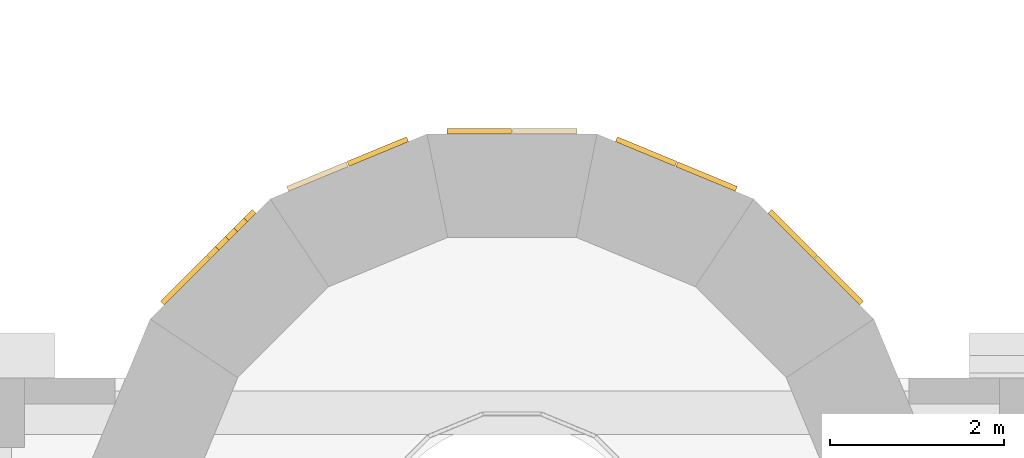
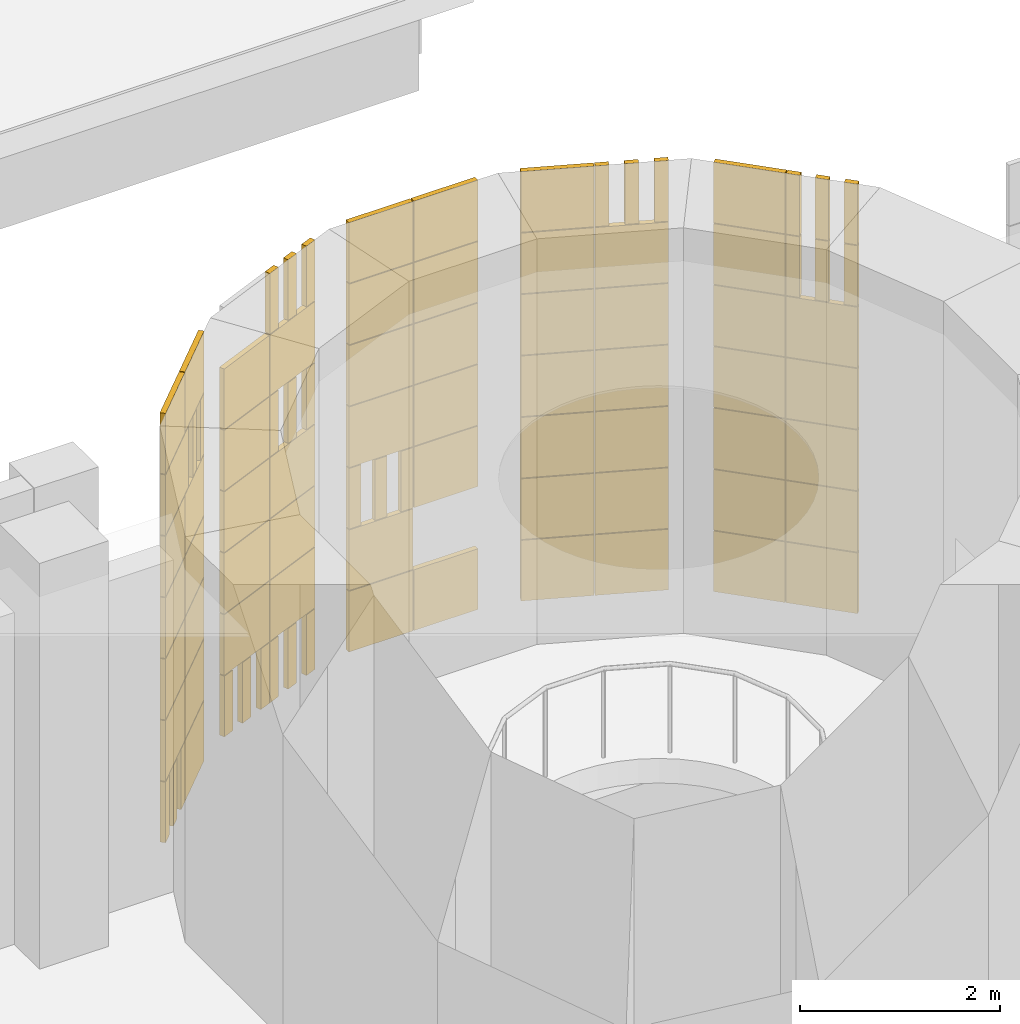
# One storey, part 91 of 125: 5 coverings.
"""IFC4 building model written with IfcOpenShell, lengths in metres."""

from ifc_helpers import new_model, si_unit, direction, frame, origin, origin_2d, place, context, subcontext, project, spatial, rectangle, extrude, material, layer, layer_set, type_object, element, save


model = new_model("IFC4")

# Units and contexts
model_context = context("Model", 3, precision=1e-05, world=origin(), true_north=direction((0.0, 1.0)))
body_context = subcontext(model_context, "Body", "Model", "MODEL_VIEW")
ifc_project = project(units=[si_unit("LENGTHUNIT", "METRE"), si_unit("AREAUNIT", "SQUARE_METRE"), si_unit("VOLUMEUNIT", "CUBIC_METRE"), si_unit("PLANEANGLEUNIT", "RADIAN"), si_unit("MASSUNIT", "GRAM", prefix="KILO")], contexts=[model_context])

# Site, building, storey
site_placement = place(None, origin())
site = spatial("IfcSite", under=ifc_project, at=site_placement, CompositionType="ELEMENT")
building_placement = place(site_placement, origin())
building = spatial("IfcBuilding", under=site, at=building_placement, Name="Sun Court Science Centre", CompositionType="ELEMENT")
storey_placement = place(building_placement, frame((0.0, 0.0, 6.0)))
storey = spatial("IfcBuildingStorey", under=building, at=storey_placement, Name="L01", CompositionType="ELEMENT", Elevation=6.0)

# Coverings
ifc_material_1 = material(Name="Terracotta jali", Category="masonry")
ifc_layer_1 = layer(ifc_material_1, 0.06005859375)
ifc_layer_set_1 = layer_set([ifc_layer_1], Name="Terracotta jali")
covering_type_1 = type_object("IfcCoveringType", Name="Terracotta open jali panel", PredefinedType="CLADDING", material=ifc_layer_set_1)
covering_1_placement = place(storey_placement, frame((0.0, 0.0, -6.0)))
element("IfcCovering", 1, at=covering_1_placement, inside=storey, type_object=covering_type_1, Name="Open jali pixel cladding cone 2 L01", PredefinedType="CLADDING", context=body_context, shape_type="SweptSolid", body=[
    extrude(rectangle(XDim=0.139892578125, YDim=0.06005859375, at=origin_2d()), frame((21.541748046875, 29.335693359375, 9.455078125), z_axis=(0.0, 0.0, 1.0), x_axis=(0.707106781187, -0.707106781187, 0.0)), (0.0, 0.0, 1.0), 0.739990234375),
    extrude(rectangle(XDim=0.139892578125, YDim=0.06005859375, at=origin_2d()), frame((21.75390625, 29.12353515625, 9.455078125), z_axis=(0.0, 0.0, 1.0), x_axis=(0.707106781187, -0.707106781187, 0.0)), (0.0, 0.0, 1.0), 0.739990234375),
    extrude(rectangle(XDim=0.139892578125, YDim=0.06005859375, at=origin_2d()), frame((21.966064453125, 28.91162109375, 9.455078125), z_axis=(0.0, 0.0, 1.0), x_axis=(0.707106781187, -0.707106781187, 0.0)), (0.0, 0.0, 1.0), 0.739990234375),
    extrude(rectangle(XDim=0.139892578125, YDim=0.06005859375, at=origin_2d()), frame((21.541748046875, 29.335693359375, 10.205078125), z_axis=(0.0, 0.0, 1.0), x_axis=(0.707106781187, -0.707106781187, 0.0)), (0.0, 0.0, 1.0), 0.739990234375),
    extrude(rectangle(XDim=0.139892578125, YDim=0.06005859375, at=origin_2d()), frame((21.75390625, 29.12353515625, 10.205078125), z_axis=(0.0, 0.0, 1.0), x_axis=(0.707106781187, -0.707106781187, 0.0)), (0.0, 0.0, 1.0), 0.739990234375),
    extrude(rectangle(XDim=0.139892578125, YDim=0.06005859375, at=origin_2d()), frame((21.966064453125, 28.91162109375, 10.205078125), z_axis=(0.0, 0.0, 1.0), x_axis=(0.707106781187, -0.707106781187, 0.0)), (0.0, 0.0, 1.0), 0.739990234375),
    extrude(rectangle(XDim=0.139892578125, YDim=0.06005859375, at=origin_2d()), frame((19.95751953125, 30.4296875, 10.205078125), z_axis=(0.0, 0.0, 1.0), x_axis=(0.923879532511, -0.382683432365, 0.0)), (0.0, 0.0, 1.0), 0.739990234375),
    extrude(rectangle(XDim=0.139892578125, YDim=0.06005859375, at=origin_2d()), frame((20.234619140625, 30.31494140625, 10.205078125), z_axis=(0.0, 0.0, 1.0), x_axis=(0.923879532511, -0.382683432365, 0.0)), (0.0, 0.0, 1.0), 0.739990234375),
    extrude(rectangle(XDim=0.139892578125, YDim=0.06005859375, at=origin_2d()), frame((20.51171875, 30.199951171875, 10.205078125), z_axis=(0.0, 0.0, 1.0), x_axis=(0.923879532511, -0.382683432365, 0.0)), (0.0, 0.0, 1.0), 0.739990234375),
    extrude(rectangle(XDim=0.139892578125, YDim=0.06005859375, at=origin_2d()), frame((17.324951171875, 30.833984375, 7.205078125), z_axis=(0.0, 0.0, 1.0), x_axis=(1.0, 0.0, 0.0)), (0.0, 0.0, 1.0), 0.739990234375),
    extrude(rectangle(XDim=0.139892578125, YDim=0.06005859375, at=origin_2d()), frame((17.625, 30.833984375, 7.205078125), z_axis=(0.0, 0.0, 1.0), x_axis=(1.0, 0.0, 0.0)), (0.0, 0.0, 1.0), 0.739990234375),
    extrude(rectangle(XDim=0.139892578125, YDim=0.06005859375, at=origin_2d()), frame((17.925048828125, 30.833984375, 7.205078125), z_axis=(0.0, 0.0, 1.0), x_axis=(1.0, 0.0, 0.0)), (0.0, 0.0, 1.0), 0.739990234375),
    extrude(rectangle(XDim=0.139892578125, YDim=0.06005859375, at=origin_2d()), frame((15.48828125, 30.199951171875, 5.705078125), z_axis=(0.0, 0.0, 1.0), x_axis=(0.923879532511, 0.382683432365, 0.0)), (0.0, 0.0, 1.0), 0.739990234375),
    extrude(rectangle(XDim=0.139892578125, YDim=0.06005859375, at=origin_2d()), frame((15.765380859375, 30.31494140625, 5.705078125), z_axis=(0.0, 0.0, 1.0), x_axis=(0.923879532511, 0.382683432365, 0.0)), (0.0, 0.0, 1.0), 0.739990234375),
    extrude(rectangle(XDim=0.139892578125, YDim=0.06005859375, at=origin_2d()), frame((16.04248046875, 30.4296875, 5.705078125), z_axis=(0.0, 0.0, 1.0), x_axis=(0.923879532511, 0.382683432365, 0.0)), (0.0, 0.0, 1.0), 0.739990234375),
    extrude(rectangle(XDim=0.139892578125, YDim=0.06005859375, at=origin_2d()), frame((16.18115234375, 30.487060546875, 5.705078125), z_axis=(0.0, 0.0, 1.0), x_axis=(0.923879532511, 0.382683432365, 0.0)), (0.0, 0.0, 1.0), 0.739990234375),
    extrude(rectangle(XDim=0.139892578125, YDim=0.06005859375, at=origin_2d()), frame((16.458251953125, 30.601806640625, 5.705078125), z_axis=(0.0, 0.0, 1.0), x_axis=(0.923879532511, 0.382683432365, 0.0)), (0.0, 0.0, 1.0), 0.739990234375),
    extrude(rectangle(XDim=0.139892578125, YDim=0.06005859375, at=origin_2d()), frame((16.735595703125, 30.716552734375, 5.705078125), z_axis=(0.0, 0.0, 1.0), x_axis=(0.923879532511, 0.382683432365, 0.0)), (0.0, 0.0, 1.0), 0.739990234375),
    extrude(rectangle(XDim=0.139892578125, YDim=0.06005859375, at=origin_2d()), frame((16.18115234375, 30.487060546875, 8.705078125), z_axis=(0.0, 0.0, 1.0), x_axis=(0.923879532511, 0.382683432365, 0.0)), (0.0, 0.0, 1.0), 0.739990234375),
    extrude(rectangle(XDim=0.139892578125, YDim=0.06005859375, at=origin_2d()), frame((16.458251953125, 30.601806640625, 8.705078125), z_axis=(0.0, 0.0, 1.0), x_axis=(0.923879532511, 0.382683432365, 0.0)), (0.0, 0.0, 1.0), 0.739990234375),
    extrude(rectangle(XDim=0.139892578125, YDim=0.06005859375, at=origin_2d()), frame((16.735595703125, 30.716552734375, 8.705078125), z_axis=(0.0, 0.0, 1.0), x_axis=(0.923879532511, 0.382683432365, 0.0)), (0.0, 0.0, 1.0), 0.739990234375),
    extrude(rectangle(XDim=0.139892578125, YDim=0.06005859375, at=origin_2d()), frame((16.18115234375, 30.487060546875, 10.205078125), z_axis=(0.0, 0.0, 1.0), x_axis=(0.923879532511, 0.382683432365, 0.0)), (0.0, 0.0, 1.0), 0.739990234375),
    extrude(rectangle(XDim=0.139892578125, YDim=0.06005859375, at=origin_2d()), frame((16.458251953125, 30.601806640625, 10.205078125), z_axis=(0.0, 0.0, 1.0), x_axis=(0.923879532511, 0.382683432365, 0.0)), (0.0, 0.0, 1.0), 0.739990234375),
    extrude(rectangle(XDim=0.139892578125, YDim=0.06005859375, at=origin_2d()), frame((16.735595703125, 30.716552734375, 10.205078125), z_axis=(0.0, 0.0, 1.0), x_axis=(0.923879532511, 0.382683432365, 0.0)), (0.0, 0.0, 1.0), 0.739990234375),
    extrude(rectangle(XDim=0.139892578125, YDim=0.06005859375, at=origin_2d()), frame((14.033935546875, 28.91162109375, 5.705078125), z_axis=(0.0, 0.0, 1.0), x_axis=(0.707106781187, 0.707106781187, 0.0)), (0.0, 0.0, 1.0), 0.739990234375),
    extrude(rectangle(XDim=0.139892578125, YDim=0.06005859375, at=origin_2d()), frame((14.24609375, 29.12353515625, 5.705078125), z_axis=(0.0, 0.0, 1.0), x_axis=(0.707106781187, 0.707106781187, 0.0)), (0.0, 0.0, 1.0), 0.739990234375),
    extrude(rectangle(XDim=0.139892578125, YDim=0.06005859375, at=origin_2d()), frame((14.458251953125, 29.335693359375, 5.705078125), z_axis=(0.0, 0.0, 1.0), x_axis=(0.707106781187, 0.707106781187, 0.0)), (0.0, 0.0, 1.0), 0.739990234375),
    extrude(rectangle(XDim=0.139892578125, YDim=0.06005859375, at=origin_2d()), frame((14.564208984375, 29.44189453125, 9.455078125), z_axis=(0.0, 0.0, 1.0), x_axis=(0.707106781187, 0.707106781187, 0.0)), (0.0, 0.0, 1.0), 0.739990234375),
    extrude(rectangle(XDim=0.139892578125, YDim=0.06005859375, at=origin_2d()), frame((14.7763671875, 29.654052734375, 9.455078125), z_axis=(0.0, 0.0, 1.0), x_axis=(0.707106781187, 0.707106781187, 0.0)), (0.0, 0.0, 1.0), 0.739990234375),
    extrude(rectangle(XDim=0.139892578125, YDim=0.06005859375, at=origin_2d()), frame((14.988525390625, 29.8662109375, 9.455078125), z_axis=(0.0, 0.0, 1.0), x_axis=(0.707106781187, 0.707106781187, 0.0)), (0.0, 0.0, 1.0), 0.739990234375),
    extrude(rectangle(XDim=0.739990234375, YDim=0.06005859375, at=origin_2d()), frame((14.24609375, 29.12353515625, 8.705078125), z_axis=(0.0, 0.0, 1.0), x_axis=(0.707106781187, 0.707106781187, 0.0)), (0.0, 0.0, 1.0), 0.739990234375),
    extrude(rectangle(XDim=0.739990234375, YDim=0.06005859375, at=origin_2d()), frame((14.24609375, 29.12353515625, 10.205078125), z_axis=(0.0, 0.0, 1.0), x_axis=(0.707106781187, 0.707106781187, 0.0)), (0.0, 0.0, 1.0), 0.739990234375),
    extrude(rectangle(XDim=0.739990234375, YDim=0.06005859375, at=origin_2d()), frame((21.75390625, 29.12353515625, 7.205078125), z_axis=(0.0, 0.0, 1.0), x_axis=(0.707106781187, -0.707106781187, 0.0)), (0.0, 0.0, 1.0), 0.739990234375),
    extrude(rectangle(XDim=0.739990234375, YDim=0.06005859375, at=origin_2d()), frame((14.24609375, 29.12353515625, 6.455078125), z_axis=(0.0, 0.0, 1.0), x_axis=(0.707106781187, 0.707106781187, 0.0)), (0.0, 0.0, 1.0), 0.739990234375),
    extrude(rectangle(XDim=0.739990234375, YDim=0.06005859375, at=origin_2d()), frame((14.24609375, 29.12353515625, 7.205078125), z_axis=(0.0, 0.0, 1.0), x_axis=(0.707106781187, 0.707106781187, 0.0)), (0.0, 0.0, 1.0), 0.739990234375),
    extrude(rectangle(XDim=0.739990234375, YDim=0.06005859375, at=origin_2d()), frame((14.24609375, 29.12353515625, 9.455078125), z_axis=(0.0, 0.0, 1.0), x_axis=(0.707106781187, 0.707106781187, 0.0)), (0.0, 0.0, 1.0), 0.739990234375),
    extrude(rectangle(XDim=0.739990234375, YDim=0.06005859375, at=origin_2d()), frame((14.24609375, 29.12353515625, 7.955078125), z_axis=(0.0, 0.0, 1.0), x_axis=(0.707106781187, 0.707106781187, 0.0)), (0.0, 0.0, 1.0), 0.739990234375),
    extrude(rectangle(XDim=0.739990234375, YDim=0.06005859375, at=origin_2d()), frame((21.75390625, 29.12353515625, 8.705078125), z_axis=(0.0, 0.0, 1.0), x_axis=(0.707106781187, -0.707106781187, 0.0)), (0.0, 0.0, 1.0), 0.739990234375),
])
ifc_material_2 = material(Name="Terracotta shade 1", Category="masonry")
ifc_layer_2 = layer(ifc_material_2, 0.06005859375)
ifc_layer_set_2 = layer_set([ifc_layer_2], Name="Terracotta shade 1")
covering_type_2 = type_object("IfcCoveringType", Name="Terracotta pixel panel shade 1", PredefinedType="CLADDING", material=ifc_layer_set_2)
covering_2_placement = place(storey_placement, frame((0.0, 0.0, -6.0)))
element("IfcCovering", 2, at=covering_2_placement, inside=storey, type_object=covering_type_2, Name="Terracotta pixel cladding shade 1 cone 2 L01", PredefinedType="CLADDING", context=body_context, shape_type="SweptSolid", body=[
    extrude(rectangle(XDim=0.739990234375, YDim=0.06005859375, at=origin_2d()), frame((21.2236328125, 29.654052734375, 7.955078125), z_axis=(0.0, 0.0, 1.0), x_axis=(0.707106781187, -0.707106781187, 0.0)), (0.0, 0.0, 1.0), 0.739990234375),
    extrude(rectangle(XDim=0.739990234375, YDim=0.06005859375, at=origin_2d()), frame((21.2236328125, 29.654052734375, 10.205078125), z_axis=(0.0, 0.0, 1.0), x_axis=(0.707106781187, -0.707106781187, 0.0)), (0.0, 0.0, 1.0), 0.739990234375),
    extrude(rectangle(XDim=0.739990234375, YDim=0.06005859375, at=origin_2d()), frame((19.541748046875, 30.601806640625, 5.705078125), z_axis=(0.0, 0.0, 1.0), x_axis=(0.923879532511, -0.382683432365, 0.0)), (0.0, 0.0, 1.0), 0.739990234375),
    extrude(rectangle(XDim=0.739990234375, YDim=0.06005859375, at=origin_2d()), frame((19.541748046875, 30.601806640625, 7.205078125), z_axis=(0.0, 0.0, 1.0), x_axis=(0.923879532511, -0.382683432365, 0.0)), (0.0, 0.0, 1.0), 0.739990234375),
    extrude(rectangle(XDim=0.739990234375, YDim=0.06005859375, at=origin_2d()), frame((20.234619140625, 30.31494140625, 7.205078125), z_axis=(0.0, 0.0, 1.0), x_axis=(0.923879532511, -0.382683432365, 0.0)), (0.0, 0.0, 1.0), 0.739990234375),
    extrude(rectangle(XDim=0.739990234375, YDim=0.06005859375, at=origin_2d()), frame((19.541748046875, 30.601806640625, 7.955078125), z_axis=(0.0, 0.0, 1.0), x_axis=(0.923879532511, -0.382683432365, 0.0)), (0.0, 0.0, 1.0), 0.739990234375),
    extrude(rectangle(XDim=0.739990234375, YDim=0.06005859375, at=origin_2d()), frame((19.541748046875, 30.601806640625, 8.705078125), z_axis=(0.0, 0.0, 1.0), x_axis=(0.923879532511, -0.382683432365, 0.0)), (0.0, 0.0, 1.0), 0.739990234375),
    extrude(rectangle(XDim=0.739990234375, YDim=0.06005859375, at=origin_2d()), frame((17.625, 30.833984375, 7.955078125), z_axis=(0.0, 0.0, 1.0), x_axis=(1.0, 0.0, 0.0)), (0.0, 0.0, 1.0), 0.739990234375),
    extrude(rectangle(XDim=0.739990234375, YDim=0.06005859375, at=origin_2d()), frame((18.375, 30.833984375, 7.955078125), z_axis=(0.0, 0.0, 1.0), x_axis=(1.0, 0.0, 0.0)), (0.0, 0.0, 1.0), 0.739990234375),
    extrude(rectangle(XDim=0.739990234375, YDim=0.06005859375, at=origin_2d()), frame((17.625, 30.833984375, 8.705078125), z_axis=(0.0, 0.0, 1.0), x_axis=(1.0, 0.0, 0.0)), (0.0, 0.0, 1.0), 0.739990234375),
    extrude(rectangle(XDim=0.739990234375, YDim=0.06005859375, at=origin_2d()), frame((17.625, 30.833984375, 10.205078125), z_axis=(0.0, 0.0, 1.0), x_axis=(1.0, 0.0, 0.0)), (0.0, 0.0, 1.0), 0.739990234375),
    extrude(rectangle(XDim=0.739990234375, YDim=0.06005859375, at=origin_2d()), frame((15.765380859375, 30.31494140625, 6.455078125), z_axis=(0.0, 0.0, 1.0), x_axis=(0.923879532511, 0.382683432365, 0.0)), (0.0, 0.0, 1.0), 0.739990234375),
    extrude(rectangle(XDim=0.739990234375, YDim=0.06005859375, at=origin_2d()), frame((16.458251953125, 30.601806640625, 6.455078125), z_axis=(0.0, 0.0, 1.0), x_axis=(0.923879532511, 0.382683432365, 0.0)), (0.0, 0.0, 1.0), 0.739990234375),
    extrude(rectangle(XDim=0.739990234375, YDim=0.06005859375, at=origin_2d()), frame((16.458251953125, 30.601806640625, 7.205078125), z_axis=(0.0, 0.0, 1.0), x_axis=(0.923879532511, 0.382683432365, 0.0)), (0.0, 0.0, 1.0), 0.739990234375),
    extrude(rectangle(XDim=0.739990234375, YDim=0.06005859375, at=origin_2d()), frame((14.7763671875, 29.654052734375, 5.705078125), z_axis=(0.0, 0.0, 1.0), x_axis=(0.707106781187, 0.707106781187, 0.0)), (0.0, 0.0, 1.0), 0.739990234375),
    extrude(rectangle(XDim=0.739990234375, YDim=0.06005859375, at=origin_2d()), frame((14.7763671875, 29.654052734375, 6.455078125), z_axis=(0.0, 0.0, 1.0), x_axis=(0.707106781187, 0.707106781187, 0.0)), (0.0, 0.0, 1.0), 0.739990234375),
    extrude(rectangle(XDim=0.739990234375, YDim=0.06005859375, at=origin_2d()), frame((21.2236328125, 29.654052734375, 5.705078125), z_axis=(0.0, 0.0, 1.0), x_axis=(0.707106781187, -0.707106781187, 0.0)), (0.0, 0.0, 1.0), 0.739990234375),
    extrude(rectangle(XDim=0.739990234375, YDim=0.06005859375, at=origin_2d()), frame((21.2236328125, 29.654052734375, 7.205078125), z_axis=(0.0, 0.0, 1.0), x_axis=(0.707106781187, -0.707106781187, 0.0)), (0.0, 0.0, 1.0), 0.739990234375),
    extrude(rectangle(XDim=0.739990234375, YDim=0.06005859375, at=origin_2d()), frame((14.7763671875, 29.654052734375, 7.205078125), z_axis=(0.0, 0.0, 1.0), x_axis=(0.707106781187, 0.707106781187, 0.0)), (0.0, 0.0, 1.0), 0.739990234375),
    extrude(rectangle(XDim=0.739990234375, YDim=0.06005859375, at=origin_2d()), frame((14.7763671875, 29.654052734375, 8.705078125), z_axis=(0.0, 0.0, 1.0), x_axis=(0.707106781187, 0.707106781187, 0.0)), (0.0, 0.0, 1.0), 0.739990234375),
    extrude(rectangle(XDim=0.739990234375, YDim=0.06005859375, at=origin_2d()), frame((21.2236328125, 29.654052734375, 8.705078125), z_axis=(0.0, 0.0, 1.0), x_axis=(0.707106781187, -0.707106781187, 0.0)), (0.0, 0.0, 1.0), 0.739990234375),
    extrude(rectangle(XDim=0.739990234375, YDim=0.06005859375, at=origin_2d()), frame((14.7763671875, 29.654052734375, 7.955078125), z_axis=(0.0, 0.0, 1.0), x_axis=(0.707106781187, 0.707106781187, 0.0)), (0.0, 0.0, 1.0), 0.739990234375),
    extrude(rectangle(XDim=0.739990234375, YDim=0.06005859375, at=origin_2d()), frame((14.7763671875, 29.654052734375, 10.205078125), z_axis=(0.0, 0.0, 1.0), x_axis=(0.707106781187, 0.707106781187, 0.0)), (0.0, 0.0, 1.0), 0.739990234375),
    extrude(rectangle(XDim=0.739990234375, YDim=0.06005859375, at=origin_2d()), frame((21.2236328125, 29.654052734375, 6.455078125), z_axis=(0.0, 0.0, 1.0), x_axis=(0.707106781187, -0.707106781187, 0.0)), (0.0, 0.0, 1.0), 0.739990234375),
    extrude(rectangle(XDim=0.739990234375, YDim=0.06005859375, at=origin_2d()), frame((21.2236328125, 29.654052734375, 9.455078125), z_axis=(0.0, 0.0, 1.0), x_axis=(0.707106781187, -0.707106781187, 0.0)), (0.0, 0.0, 1.0), 0.739990234375),
])
ifc_material_3 = material(Name="Terracotta shade 2", Category="masonry")
ifc_layer_3 = layer(ifc_material_3, 0.06005859375)
ifc_layer_set_3 = layer_set([ifc_layer_3], Name="Terracotta shade 2")
covering_type_3 = type_object("IfcCoveringType", Name="Terracotta pixel panel shade 2", PredefinedType="CLADDING", material=ifc_layer_set_3)
covering_3_placement = place(storey_placement, frame((0.0, 0.0, -6.0)))
element("IfcCovering", 3, at=covering_3_placement, inside=storey, type_object=covering_type_3, Name="Terracotta pixel cladding shade 2 cone 2 L01", PredefinedType="CLADDING", context=body_context, shape_type="SweptSolid", body=[
    extrude(rectangle(XDim=0.739990234375, YDim=0.06005859375, at=origin_2d()), frame((21.75390625, 29.12353515625, 5.705078125), z_axis=(0.0, 0.0, 1.0), x_axis=(0.707106781187, -0.707106781187, 0.0)), (0.0, 0.0, 1.0), 0.739990234375),
    extrude(rectangle(XDim=0.739990234375, YDim=0.06005859375, at=origin_2d()), frame((21.75390625, 29.12353515625, 6.455078125), z_axis=(0.0, 0.0, 1.0), x_axis=(0.707106781187, -0.707106781187, 0.0)), (0.0, 0.0, 1.0), 0.739990234375),
    extrude(rectangle(XDim=0.739990234375, YDim=0.06005859375, at=origin_2d()), frame((21.75390625, 29.12353515625, 7.955078125), z_axis=(0.0, 0.0, 1.0), x_axis=(0.707106781187, -0.707106781187, 0.0)), (0.0, 0.0, 1.0), 0.739990234375),
    extrude(rectangle(XDim=0.739990234375, YDim=0.06005859375, at=origin_2d()), frame((20.234619140625, 30.31494140625, 6.455078125), z_axis=(0.0, 0.0, 1.0), x_axis=(0.923879532511, -0.382683432365, 0.0)), (0.0, 0.0, 1.0), 0.739990234375),
    extrude(rectangle(XDim=0.739990234375, YDim=0.06005859375, at=origin_2d()), frame((20.234619140625, 30.31494140625, 7.955078125), z_axis=(0.0, 0.0, 1.0), x_axis=(0.923879532511, -0.382683432365, 0.0)), (0.0, 0.0, 1.0), 0.739990234375),
    extrude(rectangle(XDim=0.739990234375, YDim=0.06005859375, at=origin_2d()), frame((20.234619140625, 30.31494140625, 9.455078125), z_axis=(0.0, 0.0, 1.0), x_axis=(0.923879532511, -0.382683432365, 0.0)), (0.0, 0.0, 1.0), 0.739990234375),
    extrude(rectangle(XDim=0.739990234375, YDim=0.06005859375, at=origin_2d()), frame((18.375, 30.833984375, 8.705078125), z_axis=(0.0, 0.0, 1.0), x_axis=(1.0, 0.0, 0.0)), (0.0, 0.0, 1.0), 0.739990234375),
    extrude(rectangle(XDim=0.739990234375, YDim=0.06005859375, at=origin_2d()), frame((17.625, 30.833984375, 9.455078125), z_axis=(0.0, 0.0, 1.0), x_axis=(1.0, 0.0, 0.0)), (0.0, 0.0, 1.0), 0.739990234375),
    extrude(rectangle(XDim=0.739990234375, YDim=0.06005859375, at=origin_2d()), frame((15.765380859375, 30.31494140625, 7.205078125), z_axis=(0.0, 0.0, 1.0), x_axis=(0.923879532511, 0.382683432365, 0.0)), (0.0, 0.0, 1.0), 0.739990234375),
    extrude(rectangle(XDim=0.739990234375, YDim=0.06005859375, at=origin_2d()), frame((15.765380859375, 30.31494140625, 8.705078125), z_axis=(0.0, 0.0, 1.0), x_axis=(0.923879532511, 0.382683432365, 0.0)), (0.0, 0.0, 1.0), 0.739990234375),
    extrude(rectangle(XDim=0.739990234375, YDim=0.06005859375, at=origin_2d()), frame((16.458251953125, 30.601806640625, 9.455078125), z_axis=(0.0, 0.0, 1.0), x_axis=(0.923879532511, 0.382683432365, 0.0)), (0.0, 0.0, 1.0), 0.739990234375),
])
ifc_material_4 = material(Name="Terracotta shade 3", Category="masonry")
ifc_layer_4 = layer(ifc_material_4, 0.06005859375)
ifc_layer_set_4 = layer_set([ifc_layer_4], Name="Terracotta shade 3")
covering_type_4 = type_object("IfcCoveringType", Name="Terracotta pixel panel shade 3", PredefinedType="CLADDING", material=ifc_layer_set_4)
covering_4_placement = place(storey_placement, frame((0.0, 0.0, -6.0)))
element("IfcCovering", 4, at=covering_4_placement, inside=storey, type_object=covering_type_4, Name="Terracotta pixel cladding shade 3 cone 2 L01", PredefinedType="CLADDING", context=body_context, shape_type="SweptSolid", body=[
    extrude(rectangle(XDim=0.739990234375, YDim=0.06005859375, at=origin_2d()), frame((19.541748046875, 30.601806640625, 6.455078125), z_axis=(0.0, 0.0, 1.0), x_axis=(0.923879532511, -0.382683432365, 0.0)), (0.0, 0.0, 1.0), 0.739990234375),
    extrude(rectangle(XDim=0.739990234375, YDim=0.06005859375, at=origin_2d()), frame((19.541748046875, 30.601806640625, 10.205078125), z_axis=(0.0, 0.0, 1.0), x_axis=(0.923879532511, -0.382683432365, 0.0)), (0.0, 0.0, 1.0), 0.739990234375),
    extrude(rectangle(XDim=0.739990234375, YDim=0.06005859375, at=origin_2d()), frame((18.375, 30.833984375, 5.705078125), z_axis=(0.0, 0.0, 1.0), x_axis=(1.0, 0.0, 0.0)), (0.0, 0.0, 1.0), 0.739990234375),
    extrude(rectangle(XDim=0.739990234375, YDim=0.06005859375, at=origin_2d()), frame((17.625, 30.833984375, 6.455078125), z_axis=(0.0, 0.0, 1.0), x_axis=(1.0, 0.0, 0.0)), (0.0, 0.0, 1.0), 0.739990234375),
    extrude(rectangle(XDim=0.739990234375, YDim=0.06005859375, at=origin_2d()), frame((18.375, 30.833984375, 9.455078125), z_axis=(0.0, 0.0, 1.0), x_axis=(1.0, 0.0, 0.0)), (0.0, 0.0, 1.0), 0.739990234375),
    extrude(rectangle(XDim=0.739990234375, YDim=0.06005859375, at=origin_2d()), frame((15.765380859375, 30.31494140625, 7.955078125), z_axis=(0.0, 0.0, 1.0), x_axis=(0.923879532511, 0.382683432365, 0.0)), (0.0, 0.0, 1.0), 0.739990234375),
    extrude(rectangle(XDim=0.739990234375, YDim=0.06005859375, at=origin_2d()), frame((15.765380859375, 30.31494140625, 9.455078125), z_axis=(0.0, 0.0, 1.0), x_axis=(0.923879532511, 0.382683432365, 0.0)), (0.0, 0.0, 1.0), 0.739990234375),
    extrude(rectangle(XDim=0.739990234375, YDim=0.06005859375, at=origin_2d()), frame((20.234619140625, 30.31494140625, 5.705078125), z_axis=(0.0, 0.0, 1.0), x_axis=(0.923879532511, -0.382683432365, 0.0)), (0.0, 0.0, 1.0), 0.739990234375),
    extrude(rectangle(XDim=0.739990234375, YDim=0.06005859375, at=origin_2d()), frame((18.375, 30.833984375, 10.205078125), z_axis=(0.0, 0.0, 1.0), x_axis=(1.0, 0.0, 0.0)), (0.0, 0.0, 1.0), 0.739990234375),
])
ifc_material_5 = material(Name="Terracotta shade 4", Category="masonry")
ifc_layer_5 = layer(ifc_material_5, 0.06005859375)
ifc_layer_set_5 = layer_set([ifc_layer_5], Name="Terracotta shade 4")
covering_type_5 = type_object("IfcCoveringType", Name="Terracotta pixel panel shade 4", PredefinedType="CLADDING", material=ifc_layer_set_5)
covering_5_placement = place(storey_placement, frame((0.0, 0.0, -6.0)))
element("IfcCovering", 5, at=covering_5_placement, inside=storey, type_object=covering_type_5, Name="Terracotta pixel cladding shade 4 cone 2 L01", PredefinedType="CLADDING", context=body_context, shape_type="SweptSolid", body=[
    extrude(rectangle(XDim=0.739990234375, YDim=0.06005859375, at=origin_2d()), frame((20.234619140625, 30.31494140625, 8.705078125), z_axis=(0.0, 0.0, 1.0), x_axis=(0.923879532511, -0.382683432365, 0.0)), (0.0, 0.0, 1.0), 0.739990234375),
    extrude(rectangle(XDim=0.739990234375, YDim=0.06005859375, at=origin_2d()), frame((19.541748046875, 30.601806640625, 9.455078125), z_axis=(0.0, 0.0, 1.0), x_axis=(0.923879532511, -0.382683432365, 0.0)), (0.0, 0.0, 1.0), 0.739990234375),
    extrude(rectangle(XDim=0.739990234375, YDim=0.06005859375, at=origin_2d()), frame((17.625, 30.833984375, 5.705078125), z_axis=(0.0, 0.0, 1.0), x_axis=(1.0, 0.0, 0.0)), (0.0, 0.0, 1.0), 0.739990234375),
    extrude(rectangle(XDim=0.739990234375, YDim=0.06005859375, at=origin_2d()), frame((18.375, 30.833984375, 7.205078125), z_axis=(0.0, 0.0, 1.0), x_axis=(1.0, 0.0, 0.0)), (0.0, 0.0, 1.0), 0.739990234375),
    extrude(rectangle(XDim=0.739990234375, YDim=0.06005859375, at=origin_2d()), frame((16.458251953125, 30.601806640625, 7.955078125), z_axis=(0.0, 0.0, 1.0), x_axis=(0.923879532511, 0.382683432365, 0.0)), (0.0, 0.0, 1.0), 0.739990234375),
])

save(model, "model.ifc")
